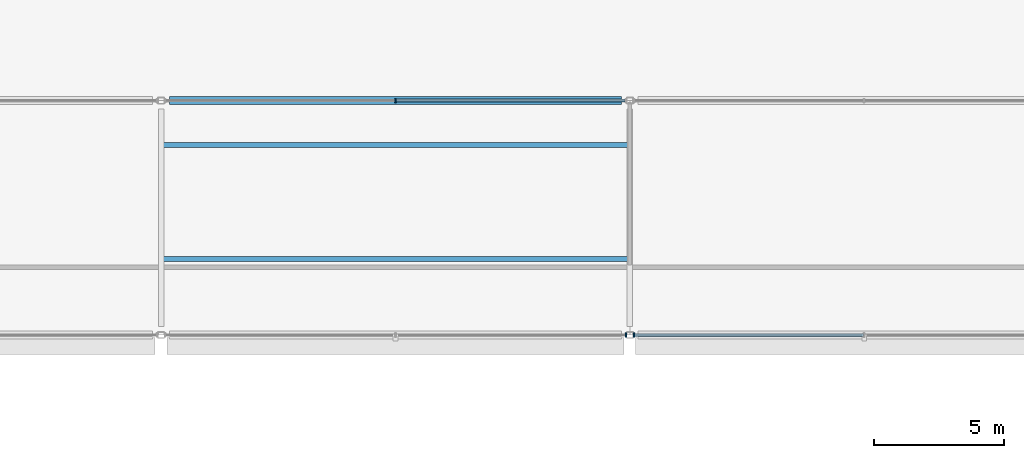
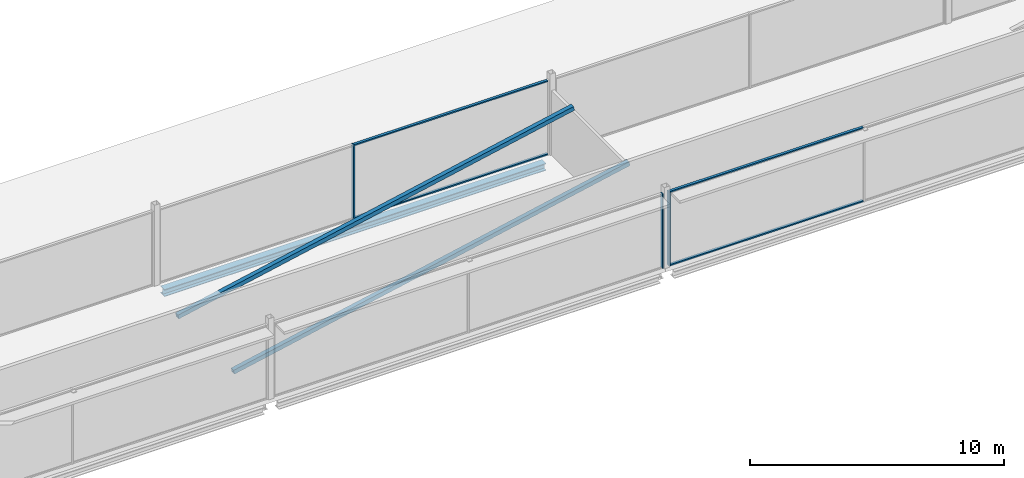
# One storey, part 24 of 105: 9 members, 1 beam, 3 elements without a shape of their own.
"""IFC4 building model written with IfcOpenShell, lengths in metres."""

from ifc_helpers import new_model, si_unit, direction, frame, origin, origin_2d, place, context, subcontext, project, spatial, rectangle, hollow_rectangle, i_section, extrude, material, layer, layer_set, material_profile, profile_set, type_object, element, aggregate, save


model = new_model("IFC4")

# Units and contexts
model_context = context("Model", 3, precision=1e-05, world=origin(), true_north=direction((0.0, 1.0)))
body_context = subcontext(model_context, "Body", "Model", "MODEL_VIEW")
ifc_project = project(units=[si_unit("LENGTHUNIT", "METRE"), si_unit("AREAUNIT", "SQUARE_METRE"), si_unit("VOLUMEUNIT", "CUBIC_METRE"), si_unit("PLANEANGLEUNIT", "RADIAN"), si_unit("MASSUNIT", "GRAM", prefix="KILO")], contexts=[model_context])

# Site, building, storey
site_placement = place(None, origin())
site = spatial("IfcSite", under=ifc_project, at=site_placement, CompositionType="ELEMENT")
building_placement = place(site_placement, origin())
building = spatial("IfcBuilding", under=site, at=building_placement, Name="Kisiwana Market Hall", CompositionType="ELEMENT")
storey_placement = place(building_placement, frame((0.0, 0.0, 21.60009765625)))
storey = spatial("IfcBuildingStorey", under=building, at=storey_placement, Name="L04", CompositionType="ELEMENT", Elevation=21.60009765625)

# Beam
ifc_material_1 = material(Name="Steel S355", Category="steel")
ifc_material_profile_1 = material_profile(ifc_material_1, i_section(OverallWidth=0.314453125, OverallDepth=0.33984375, WebThickness=0.01904296875, FlangeThickness=0.031494140625, at=origin_2d()), Name="UC 305x305x198")
ifc_profile_set_1 = profile_set([ifc_material_profile_1], Name="Steel S355")
beam_type = type_object("IfcBeamType", Name="BM-SKYBR-CHORD", PredefinedType="BEAM", material=ifc_profile_set_1)
beam_placement = place(storey_placement, frame((81.321044921875, 27.0, -0.462158203125), z_axis=(1.0, 0.0, 0.0), x_axis=(0.0, 1.0, 0.0)))
element("IfcBeam", 1, at=beam_placement, inside=storey, type_object=beam_type, Name="Floor beam B-1439", PredefinedType="BEAM", context=body_context, shape_type="SweptSolid", body=[
    extrude(i_section(OverallWidth=0.314453125, OverallDepth=0.33984375, WebThickness=0.01904296875, FlangeThickness=0.031494140625, at=origin_2d()), origin(), (0.0, 0.0, 1.0), 17.35791015625),
])

# Curtain wall, member
ifc_material_2 = material(Name="Double-glazed solar-control low-E IGU", Category="glass")
ifc_layer = layer(ifc_material_2, 0.159912109375)
ifc_layer_set = layer_set([ifc_layer], Name="CW-ZNA-EW-8200")
curtain_wall_type = type_object("IfcCurtainWallType", Name="CW-ZNA-EW-8200", PredefinedType="USERDEFINED", material=ifc_layer_set)
curtain_wall_1_placement = place(storey_placement, origin())
curtain_wall_1 = element("IfcCurtainWall", 2, at=curtain_wall_1_placement, inside=storey, type_object=curtain_wall_type, Name="Unitised curtain wall CW-094 (L04)", ObjectType="UNITISED CURTAIN WALL", PredefinedType="USERDEFINED")
ifc_material_3 = material(Name="Aluminium alloy 6063-T6", Category="aluminium")
ifc_material_profile_2 = material_profile(ifc_material_3, rectangle(XDim=0.06005859375, YDim=0.159912109375, at=origin_2d()), Name="ALU MULLION 60x160")
ifc_profile_set_2 = profile_set([ifc_material_profile_2], Name="Aluminium alloy 6063-T6")
member_type_1 = type_object("IfcMemberType", Name="CW-MULL-60x160", PredefinedType="MULLION", material=ifc_profile_set_2)
member_1_placement = place(storey_placement, frame((98.844970703125, 18.0, 0.0), z_axis=(0.0, 0.0, 1.0), x_axis=(1.0, 0.0, 0.0)))
member_1 = element("IfcMember", 3, at=member_1_placement, type_object=member_type_1, Name="CW-094 mullion 3", PredefinedType="MULLION", context=body_context, shape_type="SweptSolid", body=[
    extrude(rectangle(XDim=0.06005859375, YDim=0.159912109375, at=origin_2d()), origin(), (0.0, 0.0, 1.0), 3.5849609375),
])
aggregate(curtain_wall_1, [member_1])

curtain_wall_2_placement = place(storey_placement, origin())
curtain_wall_2 = element("IfcCurtainWall", 4, at=curtain_wall_2_placement, inside=storey, type_object=curtain_wall_type, Name="Unitised curtain wall CW-095 (L04)", ObjectType="UNITISED CURTAIN WALL", PredefinedType="USERDEFINED")
member_2_placement = place(storey_placement, frame((99.155029296875, 18.0, 0.0), z_axis=(0.0, 0.0, 1.0), x_axis=(1.0, 0.0, 0.0)))
member_2 = element("IfcMember", 5, at=member_2_placement, type_object=member_type_1, Name="CW-095 mullion 1", PredefinedType="MULLION", context=body_context, shape_type="SweptSolid", body=[
    extrude(rectangle(XDim=0.06005859375, YDim=0.159912109375, at=origin_2d()), origin(), (0.0, 0.0, 1.0), 3.5849609375),
])

curtain_wall_3_placement = place(storey_placement, origin())
curtain_wall_3 = element("IfcCurtainWall", 6, at=curtain_wall_3_placement, inside=storey, type_object=curtain_wall_type, Name="Unitised curtain wall CW-100 (L04)", ObjectType="UNITISED CURTAIN WALL", PredefinedType="USERDEFINED")
member_3_placement = place(storey_placement, frame((90.0, 27.0, 0.0), z_axis=(0.0, 0.0, 1.0), x_axis=(1.0, 0.0, 0.0)))
member_3 = element("IfcMember", 7, at=member_3_placement, type_object=member_type_1, Name="CW-100 mullion 2", PredefinedType="MULLION", context=body_context, shape_type="SweptSolid", body=[
    extrude(rectangle(XDim=0.06005859375, YDim=0.159912109375, at=origin_2d()), origin(), (0.0, 0.0, 1.0), 3.5849609375),
])

# Member
ifc_material_4 = material(Name="Aluminium alloy 6063-T6", Category="aluminium")
ifc_material_profile_3 = material_profile(ifc_material_4, rectangle(XDim=0.1201171875, YDim=0.06005859375, at=origin_2d()), Name="ALU TRANSOM 60x120")
ifc_profile_set_3 = profile_set([ifc_material_profile_3], Name="Aluminium alloy 6063-T6")
member_type_2 = type_object("IfcMemberType", Name="CW-TRAN-60x120", PredefinedType="USERDEFINED", material=ifc_profile_set_3)
member_4_placement = place(storey_placement, frame((99.18505859375, 18.0, 0.02978515625), z_axis=(1.0, 0.0, 0.0), x_axis=(0.0, 1.0, 0.0)))
member_4 = element("IfcMember", 8, at=member_4_placement, type_object=member_type_2, Name="CW-095 transom 1.1", ObjectType="TRANSOM", PredefinedType="USERDEFINED", context=body_context, shape_type="SweptSolid", body=[
    extrude(rectangle(XDim=0.1201171875, YDim=0.06005859375, at=origin_2d()), origin(), (0.0, 0.0, 1.0), 8.784912109375),
])

member_5_placement = place(storey_placement, frame((99.18505859375, 18.0, 3.554931640625), z_axis=(1.0, 0.0, 0.0), x_axis=(0.0, 1.0, 0.0)))
member_5 = element("IfcMember", 9, at=member_5_placement, type_object=member_type_2, Name="CW-095 transom 1.2", ObjectType="TRANSOM", PredefinedType="USERDEFINED", context=body_context, shape_type="SweptSolid", body=[
    extrude(rectangle(XDim=0.1201171875, YDim=0.06005859375, at=origin_2d()), origin(), (0.0, 0.0, 1.0), 8.784912109375),
])

aggregate(curtain_wall_2, [member_2, member_4, member_5])

member_6_placement = place(storey_placement, frame((90.030029296875, 27.0, 0.02978515625), z_axis=(1.0, 0.0, 0.0), x_axis=(0.0, 1.0, 0.0)))
member_6 = element("IfcMember", 10, at=member_6_placement, type_object=member_type_2, Name="CW-100 transom 2.1", ObjectType="TRANSOM", PredefinedType="USERDEFINED", context=body_context, shape_type="SweptSolid", body=[
    extrude(rectangle(XDim=0.1201171875, YDim=0.06005859375, at=origin_2d()), origin(), (0.0, 0.0, 1.0), 8.784912109375),
])

member_7_placement = place(storey_placement, frame((90.030029296875, 27.0, 3.554931640625), z_axis=(1.0, 0.0, 0.0), x_axis=(0.0, 1.0, 0.0)))
member_7 = element("IfcMember", 11, at=member_7_placement, type_object=member_type_2, Name="CW-100 transom 2.2", ObjectType="TRANSOM", PredefinedType="USERDEFINED", context=body_context, shape_type="SweptSolid", body=[
    extrude(rectangle(XDim=0.1201171875, YDim=0.06005859375, at=origin_2d()), origin(), (0.0, 0.0, 1.0), 8.784912109375),
])

aggregate(curtain_wall_3, [member_3, member_6, member_7])

# Members
ifc_material_5 = material(Name="Steel S355", Category="steel")
ifc_material_profile_4 = material_profile(ifc_material_5, hollow_rectangle(XDim=0.199951171875, YDim=0.199951171875, WallThickness=0.010009765625, at=origin_2d()), Name="SHS 200x200x10.0")
ifc_profile_set_4 = profile_set([ifc_material_profile_4], Name="Steel S355")
member_type_3 = type_object("IfcMemberType", Name="MB-SKY-DIAG200", PredefinedType="BRACE", material=ifc_profile_set_4)
for number, where, z_axis, x_axis, name in (
    (12, (81.0, 20.919921875, -0.5), (0.979144505841, 0.0, 0.203165047883), (0.0, 1.0, 0.0), "Skybridge truss diagonal L04 grids 10 to 12 M-0488"),
    (13, (81.0, 25.300048828125, -0.5), (0.979144505841, 0.0, 0.203165047883), (0.0, 1.0, 0.0), "Skybridge truss diagonal L04 grids 10 to 12 M-0489"),
):
    element("IfcMember", number, at=place(storey_placement, frame(where, z_axis=z_axis, x_axis=x_axis)), inside=storey, type_object=member_type_3, Name=name, PredefinedType="BRACE", context=body_context, shape_type="SweptSolid", body=[
        extrude(hollow_rectangle(XDim=0.199951171875, YDim=0.199951171875, WallThickness=0.010009765625, at=origin_2d()), origin(), (0.0, 0.0, 1.0), 18.38330078125),
    ])

save(model, "model.ifc")
